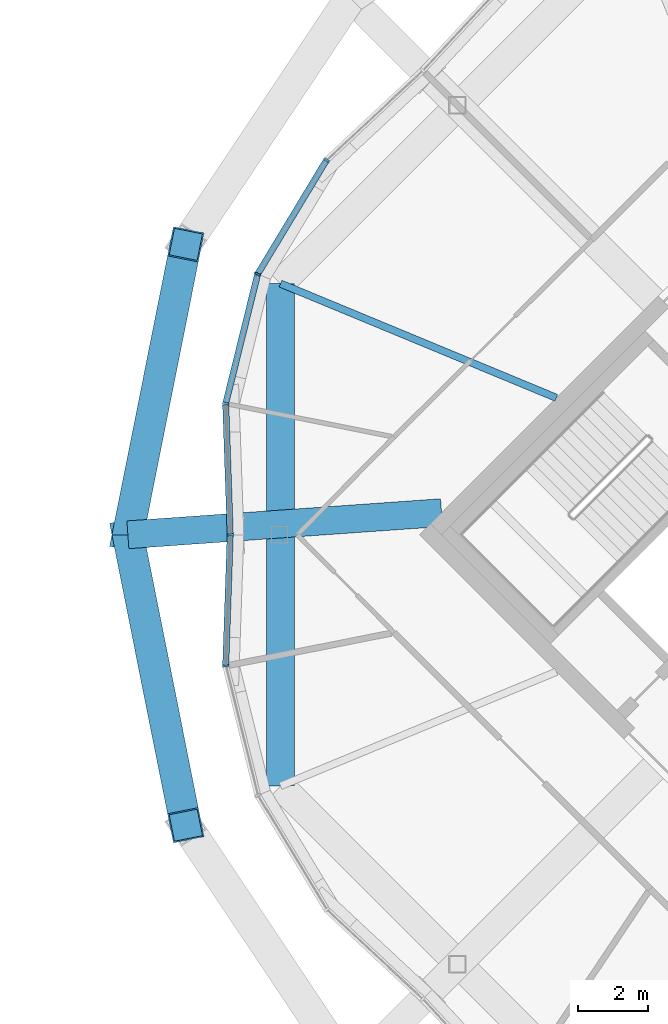
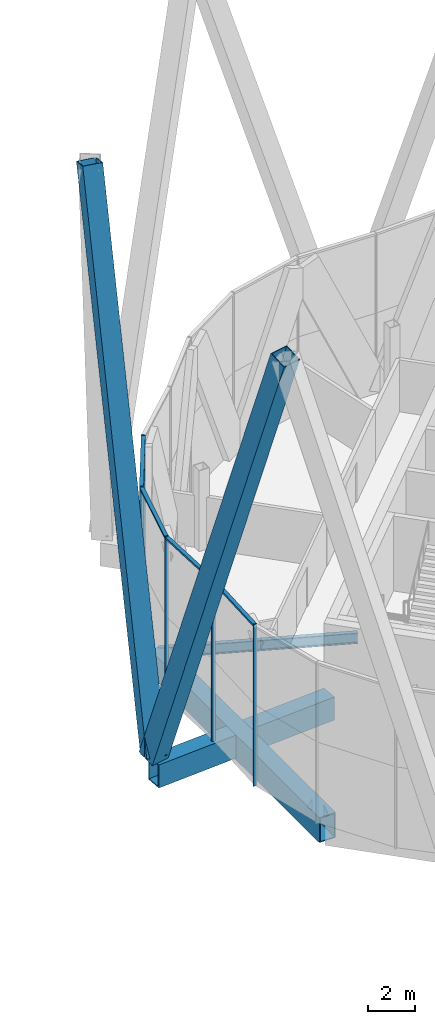
# One storey, part 14 of 38: 11 members, 3 beams, 2 elements without a shape of their own.
"""IFC4 building model written with IfcOpenShell, lengths in metres."""

from ifc_helpers import new_model, si_unit, direction, frame, origin, origin_2d, place, context, subcontext, project, spatial, rectangle, hollow_rectangle, i_section, extrude, material, material_profile, profile_set, type_object, element, aggregate, save


model = new_model("IFC4")

# Units and contexts
model_context = context("Model", 3, precision=1e-05, world=origin(), true_north=direction((0.0, 1.0)))
body_context = subcontext(model_context, "Body", "Model", "MODEL_VIEW")
ifc_project = project(units=[si_unit("LENGTHUNIT", "METRE"), si_unit("AREAUNIT", "SQUARE_METRE"), si_unit("VOLUMEUNIT", "CUBIC_METRE"), si_unit("PLANEANGLEUNIT", "RADIAN"), si_unit("MASSUNIT", "GRAM", prefix="KILO")], contexts=[model_context])

# Site, building, storey
site_placement = place(None, origin())
site = spatial("IfcSite", under=ifc_project, at=site_placement, CompositionType="ELEMENT")
building_placement = place(site_placement, origin())
building = spatial("IfcBuilding", under=site, at=building_placement, Name="Ogive Gate Towers", CompositionType="ELEMENT")
storey_placement = place(building_placement, frame((0.0, 0.0, 268.800048828125)))
storey = spatial("IfcBuildingStorey", under=building, at=storey_placement, Name="L63", CompositionType="ELEMENT", Elevation=268.800048828125)

# Members
ifc_material_1 = material(Name="Steel SM460", Category="steel")
ifc_material_profile_1 = material_profile(ifc_material_1, hollow_rectangle(XDim=0.89990234375, YDim=0.89990234375, WallThickness=0.0400390625, at=origin_2d()), Name="BX 900x900x40")
ifc_profile_set_1 = profile_set([ifc_material_profile_1], Name="Steel SM460")
member_type_1 = type_object("IfcMemberType", Name="Diagrid diagonal BX 900x900x40", PredefinedType="BRACE", material=ifc_profile_set_1)
for number, where, z_axis, x_axis, name in (
    (1, (14.18994140625, 0.0, 0.0), (0.062591606684, 0.313729069492, 0.947447287045), (-0.980673264271, 0.195652622636, 0.0), "T2/L63/SDG009"),
    (2, (14.18994140625, 0.0, 0.0), (0.062591606684, -0.313729069492, 0.947447287045), (0.980673264271, 0.195652622636, 0.0), "T2/L63/SDG010"),
):
    element("IfcMember", number, at=place(storey_placement, frame(where, z_axis=z_axis, x_axis=x_axis)), inside=storey, type_object=member_type_1, Name=name, PredefinedType="BRACE", context=body_context, shape_type="SweptSolid", body=[
        extrude(hollow_rectangle(XDim=0.89990234375, YDim=0.89990234375, WallThickness=0.0400390625, at=origin_2d()), origin(), (0.0, 0.0, 1.0), 26.59765625),
    ])

# Beams
ifc_material_profile_2 = material_profile(ifc_material_1, hollow_rectangle(XDim=0.800048828125, YDim=1.300048828125, WallThickness=0.050048828125, at=origin_2d()), Name="BX 1300x800x50")
ifc_profile_set_2 = profile_set([ifc_material_profile_2], Name="Steel SM460")
beam_type_1 = type_object("IfcBeamType", Name="Edge girder BX 1300x800x50", PredefinedType="BEAM", material=ifc_profile_set_2)
beam_1_placement = place(storey_placement, frame((18.57568359375, 7.217529296875, -0.949951171875), z_axis=(0.0, -1.0, 0.0), x_axis=(1.0, 0.0, 0.0)))
element("IfcBeam", 3, at=beam_1_placement, inside=storey, type_object=beam_type_1, Name="T2/L63/SBM024", PredefinedType="BEAM", context=body_context, shape_type="SweptSolid", body=[
    extrude(hollow_rectangle(XDim=0.800048828125, YDim=1.300048828125, WallThickness=0.050048828125, at=origin_2d()), origin(), (0.0, 0.0, 1.0), 14.43505859375),
])
ifc_material_2 = material(Name="Steel SM355", Category="steel")
ifc_material_profile_3 = material_profile(ifc_material_2, i_section(OverallWidth=0.2099609375, OverallDepth=0.550048828125, WebThickness=0.010986328125, FlangeThickness=0.01708984375, FilletRadius=0.02392578125, at=origin_2d()), Name="IPE 550")
ifc_profile_set_3 = profile_set([ifc_material_profile_3], Name="Steel SM355")
beam_type_2 = type_object("IfcBeamType", Name="Radial floor beam IPE 550", PredefinedType="BEAM", material=ifc_profile_set_3)
beam_2_placement = place(storey_placement, frame((26.5, 3.93505859375, -0.574951171875), z_axis=(-0.923874941579, 0.382694515667, 0.0), x_axis=(-0.382694515667, -0.923874941579, 0.0)))
element("IfcBeam", 4, at=beam_2_placement, inside=storey, type_object=beam_type_2, Name="T2/L63/SBM015", PredefinedType="BEAM", context=body_context, shape_type="SweptSolid", body=[
    extrude(i_section(OverallWidth=0.2099609375, OverallDepth=0.550048828125, WebThickness=0.010986328125, FlangeThickness=0.01708984375, FilletRadius=0.02392578125, at=origin_2d()), origin(), (0.0, 0.0, 1.0), 8.5771484375),
])

# Curtain wall, members
ifc_material_3 = material(Name="Pale metal aluminium", Category="aluminium")
curtain_wall_type = type_object("IfcCurtainWallType", Name="Tower unitised wall, high zone", PredefinedType="NOTDEFINED", material=ifc_material_3)
curtain_wall_1_placement = place(storey_placement, origin())
curtain_wall_1 = element("IfcCurtainWall", 5, at=curtain_wall_1_placement, inside=storey, type_object=curtain_wall_type, Name="CW2 T2 ECW06", PredefinedType="NOTDEFINED")
ifc_material_profile_4 = material_profile(ifc_material_3, rectangle(XDim=0.179931640625, YDim=0.06005859375, at=origin_2d()), Name="60 x 180 aluminium box")
ifc_profile_set_4 = profile_set([ifc_material_profile_4], Name="Pale metal aluminium")
member_type_2 = type_object("IfcMemberType", Name="Tower unitised wall, high zone mullion 60 x 180", PredefinedType="MULLION", material=ifc_profile_set_4)
member_1_placement = place(storey_placement, frame((17.1298828125, -0.000244140625, -0.300048828125), z_axis=(0.0, 0.0, 1.0), x_axis=(0.999403551225, 0.034533198497, 0.0)))
member_1 = element("IfcMember", 6, at=member_1_placement, type_object=member_type_2, Name="CW2 mullion", PredefinedType="MULLION", context=body_context, shape_type="SweptSolid", body=[
    extrude(rectangle(XDim=0.179931640625, YDim=0.06005859375, at=origin_2d()), origin(), (0.0, 0.0, 1.0), 8.39990234375),
])
member_2_placement = place(storey_placement, frame((16.999755859375, 3.768798828125, -0.300048828125), z_axis=(0.0, 0.0, 1.0), x_axis=(0.994618161253, -0.103608461555, 0.0)))
member_2 = element("IfcMember", 7, at=member_2_placement, type_object=member_type_2, Name="CW2 mullion", PredefinedType="MULLION", context=body_context, shape_type="SweptSolid", body=[
    extrude(rectangle(XDim=0.179931640625, YDim=0.06005859375, at=origin_2d()), origin(), (0.0, 0.0, 1.0), 8.39990234375),
])
member_3_placement = place(storey_placement, frame((17.918701171875, 7.489501953125, -0.300048828125), z_axis=(0.0, 0.0, 1.0), x_axis=(0.923879532511, -0.382683432365, 0.0)))
member_3 = element("IfcMember", 8, at=member_3_placement, type_object=member_type_2, Name="CW2 mullion", PredefinedType="MULLION", context=body_context, shape_type="SweptSolid", body=[
    extrude(rectangle(XDim=0.179931640625, YDim=0.06005859375, at=origin_2d()), origin(), (0.0, 0.0, 1.0), 8.39990234375),
])
member_4_placement = place(storey_placement, frame((19.899658203125, 10.770263671875, -0.300048828125), z_axis=(0.0, 0.0, 1.0), x_axis=(0.776563492267, -0.630039000759, 0.0)))
member_4 = element("IfcMember", 9, at=member_4_placement, type_object=member_type_2, Name="CW2 mullion", PredefinedType="MULLION", context=body_context, shape_type="SweptSolid", body=[
    extrude(rectangle(XDim=0.179931640625, YDim=0.06005859375, at=origin_2d()), origin(), (0.0, 0.0, 1.0), 8.39990234375),
])

# Curtain wall, member
curtain_wall_2_placement = place(storey_placement, origin())
curtain_wall_2 = element("IfcCurtainWall", 10, at=curtain_wall_2_placement, inside=storey, type_object=curtain_wall_type, Name="CW2 T2 ECW07", PredefinedType="NOTDEFINED")
member_5_placement = place(storey_placement, frame((16.999755859375, -3.768798828125, -0.300048828125), z_axis=(0.0, 0.0, 1.0), x_axis=(0.994618161253, 0.103608461555, 0.0)))
member_5 = element("IfcMember", 11, at=member_5_placement, type_object=member_type_2, Name="CW2 mullion", PredefinedType="MULLION", context=body_context, shape_type="SweptSolid", body=[
    extrude(rectangle(XDim=0.179931640625, YDim=0.06005859375, at=origin_2d()), origin(), (0.0, 0.0, 1.0), 8.39990234375),
])

# Member
ifc_material_profile_5 = material_profile(ifc_material_3, rectangle(XDim=0.179931640625, YDim=0.10009765625, at=origin_2d()), Name="100 x 180 aluminium box")
ifc_profile_set_5 = profile_set([ifc_material_profile_5], Name="Pale metal aluminium")
member_type_3 = type_object("IfcMemberType", Name="Tower unitised wall, high zone transom 100 x 180", PredefinedType="USERDEFINED", material=ifc_profile_set_5)
member_6_placement = place(storey_placement, frame((17.12890625, 0.029541015625, 8.050048828125), z_axis=(-0.034546130482, 0.999403104292, 0.0), x_axis=(-0.999403104292, -0.034546130482, 0.0)))
member_6 = element("IfcMember", 12, at=member_6_placement, type_object=member_type_3, Name="CW2 transom", ObjectType="TRANSOM", PredefinedType="USERDEFINED", context=body_context, shape_type="SweptSolid", body=[
    extrude(rectangle(XDim=0.179931640625, YDim=0.10009765625, at=origin_2d()), origin(), (0.0, 0.0, 1.0), 3.710205078125),
])

member_7_placement = place(storey_placement, frame((17.007080078125, 3.79931640625, 8.050048828125), z_axis=(0.239761155023, 0.9708319054, 0.0), x_axis=(-0.9708319054, 0.239761155023, 0.0)))
member_7 = element("IfcMember", 13, at=member_7_placement, type_object=member_type_3, Name="CW2 transom", ObjectType="TRANSOM", PredefinedType="USERDEFINED", context=body_context, shape_type="SweptSolid", body=[
    extrude(rectangle(XDim=0.179931640625, YDim=0.10009765625, at=origin_2d()), origin(), (0.0, 0.0, 1.0), 3.76953125),
])

member_8_placement = place(storey_placement, frame((17.934814453125, 7.5166015625, 8.050048828125), z_axis=(0.516912981046, 0.85603794894, 0.0), x_axis=(-0.85603794894, 0.516912981046, 0.0)))
member_8 = element("IfcMember", 14, at=member_8_placement, type_object=member_type_3, Name="CW2 transom", ObjectType="TRANSOM", PredefinedType="USERDEFINED", context=body_context, shape_type="SweptSolid", body=[
    extrude(rectangle(XDim=0.179931640625, YDim=0.10009765625, at=origin_2d()), origin(), (0.0, 0.0, 1.0), 3.76953125),
])

aggregate(curtain_wall_1, [member_1, member_2, member_6, member_3, member_7, member_4, member_8])

member_9_placement = place(storey_placement, frame((17.000732421875, -3.737548828125, 8.050048828125), z_axis=(0.034546130482, 0.999403104292, 0.0), x_axis=(-0.999403104292, 0.034546130482, 0.0)))
member_9 = element("IfcMember", 15, at=member_9_placement, type_object=member_type_3, Name="CW2 transom", ObjectType="TRANSOM", PredefinedType="USERDEFINED", context=body_context, shape_type="SweptSolid", body=[
    extrude(rectangle(XDim=0.179931640625, YDim=0.10009765625, at=origin_2d()), origin(), (0.0, 0.0, 1.0), 3.710205078125),
])

aggregate(curtain_wall_2, [member_5, member_9])

# Beam
ifc_material_profile_6 = material_profile(ifc_material_1, hollow_rectangle(XDim=0.800048828125, YDim=1.199951171875, WallThickness=0.050048828125, at=origin_2d()), Name="BX 1200x800x50")
ifc_profile_set_6 = profile_set([ifc_material_profile_6], Name="Steel SM460")
beam_type_3 = type_object("IfcBeamType", Name="Transfer radial beam BX 1200x800x50", PredefinedType="BEAM", material=ifc_profile_set_6)
beam_3_placement = place(storey_placement, frame((23.201416015625, 0.636474609375, -0.900146484375), z_axis=(-0.99751504066, -0.070453840617, 0.0), x_axis=(0.070453840617, -0.99751504066, 0.0)))
element("IfcBeam", 16, at=beam_3_placement, inside=storey, type_object=beam_type_3, Name="T2/L63/SBM016", PredefinedType="BEAM", context=body_context, shape_type="SweptSolid", body=[
    extrude(hollow_rectangle(XDim=0.800048828125, YDim=1.199951171875, WallThickness=0.050048828125, at=origin_2d()), origin(), (0.0, 0.0, 1.0), 9.033935546875),
])

save(model, "model.ifc")
